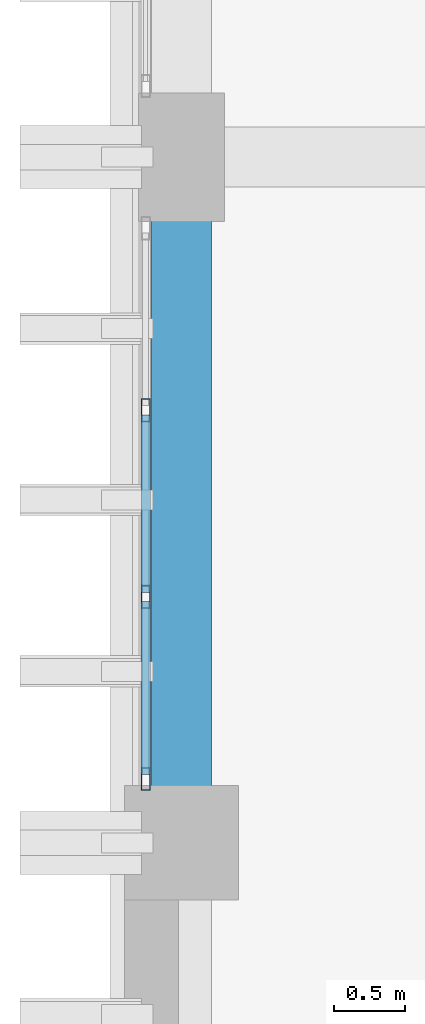
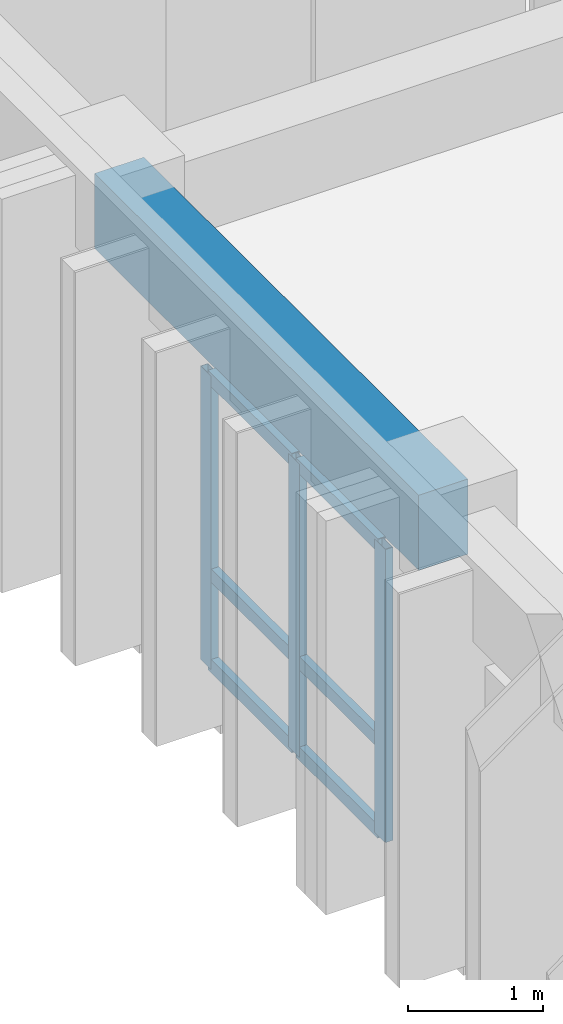
# One storey, part 31 of 82: 9 members, 1 beam, 1 element without a shape of its own.
"""IFC4 building model written with IfcOpenShell, lengths in metres."""

from ifc_helpers import new_model, si_unit, direction, frame, origin, origin_2d, place, context, subcontext, project, spatial, rectangle, hollow_rectangle, extrude, material, layer, layer_set, material_profile, profile_set, type_object, element, aggregate, save


model = new_model("IFC4")

# Units and contexts
model_context = context("Model", 3, precision=1e-05, world=origin(), true_north=direction((0.0, 1.0)))
body_context = subcontext(model_context, "Body", "Model", "MODEL_VIEW")
ifc_project = project(units=[si_unit("LENGTHUNIT", "METRE"), si_unit("AREAUNIT", "SQUARE_METRE"), si_unit("VOLUMEUNIT", "CUBIC_METRE"), si_unit("PLANEANGLEUNIT", "RADIAN"), si_unit("MASSUNIT", "GRAM", prefix="KILO")], contexts=[model_context])

# Site, building, storey
site_placement = place(None, origin())
site = spatial("IfcSite", under=ifc_project, at=site_placement, CompositionType="ELEMENT")
building_placement = place(site_placement, origin())
building = spatial("IfcBuilding", under=site, at=building_placement, Name="Nakhvara Creek Congress Hotel", CompositionType="ELEMENT")
storey_placement = place(building_placement, frame((0.0, 0.0, 21.0)))
storey = spatial("IfcBuildingStorey", under=building, at=storey_placement, Name="L04", CompositionType="ELEMENT", Elevation=21.0)

# Beam
ifc_material_1 = material(Name="Concrete C40/50", Category="concrete")
ifc_material_profile_1 = material_profile(ifc_material_1, rectangle(XDim=0.419921875, YDim=0.679931640625, at=origin_2d()), Name="RC-BM 420x680", Category="LoadBearing")
ifc_profile_set_1 = profile_set([ifc_material_profile_1], Name="Concrete C40/50")
beam_type = type_object("IfcBeamType", Name="BM-RC-420X680", PredefinedType="BEAM", material=ifc_profile_set_1)
beam_placement = place(storey_placement, frame((149.449951171875, 86.39990234375, 3.0), z_axis=(0.0, 1.0, 0.0), x_axis=(-1.0, 0.0, 0.0)))
element("IfcBeam", 1, at=beam_placement, inside=storey, type_object=beam_type, Name="Beam B11-L04-1930", PredefinedType="BEAM", context=body_context, shape_type="SweptSolid", body=[
    extrude(rectangle(XDim=0.419921875, YDim=0.679931640625, at=origin_2d()), origin(), (0.0, 0.0, 1.0), 4.800048828125),
])

# Curtain wall, members
ifc_material_2 = material(Name="Bronze-anodised aluminium AW-6063-T6 and double-silver low-E glass", Category="aluminium")
ifc_layer = layer(ifc_material_2, 0.199951171875)
ifc_layer_set = layer_set([ifc_layer], Name="Bronze-anodised aluminium AW-6063-T6 and double-silver low-E glass")
curtain_wall_type = type_object("IfcCurtainWallType", Name="CW-HTL-UNIT", PredefinedType="USERDEFINED", material=ifc_layer_set)
curtain_wall_placement = place(storey_placement, origin())
curtain_wall = element("IfcCurtainWall", 2, at=curtain_wall_placement, inside=storey, type_object=curtain_wall_type, Name="Curtain Wall CW191", ObjectType="UNITISED", PredefinedType="USERDEFINED")
ifc_material_3 = material(Name="Bronze-anodised aluminium AW-6063-T6", Category="aluminium")
ifc_material_profile_2 = material_profile(ifc_material_3, hollow_rectangle(XDim=0.06494140625, YDim=0.159912109375, WallThickness=0.00390625, at=origin_2d()), Name="ALU-MULL 65x160x4", Category="LoadBearing")
ifc_profile_set_2 = profile_set([ifc_material_profile_2], Name="Bronze-anodised aluminium AW-6063-T6")
member_type_1 = type_object("IfcMemberType", Name="CW-MULL-160", PredefinedType="MULLION", material=ifc_profile_set_2)
member_1_placement = place(storey_placement, frame((149.199951171875, 86.847412109375, 0.0), z_axis=(0.0, 0.0, 1.0), x_axis=(-1.0, 0.0, 0.0)))
member_1 = element("IfcMember", 3, at=member_1_placement, type_object=member_type_1, Name="CW191 mullion 1", PredefinedType="MULLION", context=body_context, shape_type="SweptSolid", body=[
    extrude(hollow_rectangle(XDim=0.06494140625, YDim=0.159912109375, WallThickness=0.00390625, at=origin_2d()), origin(), (0.0, 0.0, 1.0), 2.652099609375),
])
member_2_placement = place(storey_placement, frame((149.199951171875, 88.12158203125, 0.0), z_axis=(0.0, 0.0, 1.0), x_axis=(-1.0, 0.0, 0.0)))
member_2 = element("IfcMember", 4, at=member_2_placement, type_object=member_type_1, Name="CW191 mullion 2", PredefinedType="MULLION", context=body_context, shape_type="SweptSolid", body=[
    extrude(hollow_rectangle(XDim=0.06494140625, YDim=0.159912109375, WallThickness=0.00390625, at=origin_2d()), origin(), (0.0, 0.0, 1.0), 2.652099609375),
])
member_3_placement = place(storey_placement, frame((149.199951171875, 89.42822265625, 0.0), z_axis=(0.0, 0.0, 1.0), x_axis=(-1.0, 0.0, 0.0)))
member_3 = element("IfcMember", 5, at=member_3_placement, type_object=member_type_1, Name="CW191 mullion 3", PredefinedType="MULLION", context=body_context, shape_type="SweptSolid", body=[
    extrude(hollow_rectangle(XDim=0.06494140625, YDim=0.159912109375, WallThickness=0.00390625, at=origin_2d()), origin(), (0.0, 0.0, 1.0), 2.652099609375),
])
ifc_material_profile_3 = material_profile(ifc_material_3, hollow_rectangle(XDim=0.06494140625, YDim=0.1201171875, WallThickness=0.00390625, at=origin_2d()), Name="ALU-TRAN 65x120x4", Category="LoadBearing")
ifc_profile_set_3 = profile_set([ifc_material_profile_3], Name="Bronze-anodised aluminium AW-6063-T6")
member_type_2 = type_object("IfcMemberType", Name="CW-TRAN-120", PredefinedType="USERDEFINED", material=ifc_profile_set_3)
member_4_placement = place(storey_placement, frame((149.199951171875, 86.8798828125, 0.032470703125), z_axis=(0.0, 1.0, 0.0), x_axis=(-1.0, 0.0, 0.0)))
member_4 = element("IfcMember", 6, at=member_4_placement, type_object=member_type_2, Name="CW191 transom 1.1", ObjectType="TRANSOM", PredefinedType="USERDEFINED", context=body_context, shape_type="SweptSolid", body=[
    extrude(hollow_rectangle(XDim=0.06494140625, YDim=0.1201171875, WallThickness=0.00390625, at=origin_2d()), origin(), (0.0, 0.0, 1.0), 1.209228515625),
])
member_5_placement = place(storey_placement, frame((149.199951171875, 86.8798828125, 0.85009765625), z_axis=(0.0, 1.0, 0.0), x_axis=(-1.0, 0.0, 0.0)))
member_5 = element("IfcMember", 7, at=member_5_placement, type_object=member_type_2, Name="CW191 transom 1.2", ObjectType="TRANSOM", PredefinedType="USERDEFINED", context=body_context, shape_type="SweptSolid", body=[
    extrude(hollow_rectangle(XDim=0.06494140625, YDim=0.1201171875, WallThickness=0.00390625, at=origin_2d()), origin(), (0.0, 0.0, 1.0), 1.209228515625),
])
member_6_placement = place(storey_placement, frame((149.199951171875, 86.8798828125, 2.619384765625), z_axis=(0.0, 1.0, 0.0), x_axis=(-1.0, 0.0, 0.0)))
member_6 = element("IfcMember", 8, at=member_6_placement, type_object=member_type_2, Name="CW191 transom 1.3", ObjectType="TRANSOM", PredefinedType="USERDEFINED", context=body_context, shape_type="SweptSolid", body=[
    extrude(hollow_rectangle(XDim=0.06494140625, YDim=0.1201171875, WallThickness=0.00390625, at=origin_2d()), origin(), (0.0, 0.0, 1.0), 1.209228515625),
])
member_7_placement = place(storey_placement, frame((149.199951171875, 88.154052734375, 0.032470703125), z_axis=(0.0, 1.0, 0.0), x_axis=(-1.0, 0.0, 0.0)))
member_7 = element("IfcMember", 9, at=member_7_placement, type_object=member_type_2, Name="CW191 transom 2.1", ObjectType="TRANSOM", PredefinedType="USERDEFINED", context=body_context, shape_type="SweptSolid", body=[
    extrude(hollow_rectangle(XDim=0.06494140625, YDim=0.1201171875, WallThickness=0.00390625, at=origin_2d()), origin(), (0.0, 0.0, 1.0), 1.24169921875),
])
member_8_placement = place(storey_placement, frame((149.199951171875, 88.154052734375, 0.85009765625), z_axis=(0.0, 1.0, 0.0), x_axis=(-1.0, 0.0, 0.0)))
member_8 = element("IfcMember", 10, at=member_8_placement, type_object=member_type_2, Name="CW191 transom 2.2", ObjectType="TRANSOM", PredefinedType="USERDEFINED", context=body_context, shape_type="SweptSolid", body=[
    extrude(hollow_rectangle(XDim=0.06494140625, YDim=0.1201171875, WallThickness=0.00390625, at=origin_2d()), origin(), (0.0, 0.0, 1.0), 1.24169921875),
])
member_9_placement = place(storey_placement, frame((149.199951171875, 88.154052734375, 2.619384765625), z_axis=(0.0, 1.0, 0.0), x_axis=(-1.0, 0.0, 0.0)))
member_9 = element("IfcMember", 11, at=member_9_placement, type_object=member_type_2, Name="CW191 transom 2.3", ObjectType="TRANSOM", PredefinedType="USERDEFINED", context=body_context, shape_type="SweptSolid", body=[
    extrude(hollow_rectangle(XDim=0.06494140625, YDim=0.1201171875, WallThickness=0.00390625, at=origin_2d()), origin(), (0.0, 0.0, 1.0), 1.24169921875),
])
aggregate(curtain_wall, [member_1, member_2, member_3, member_4, member_5, member_6, member_7, member_8, member_9])

save(model, "model.ifc")
